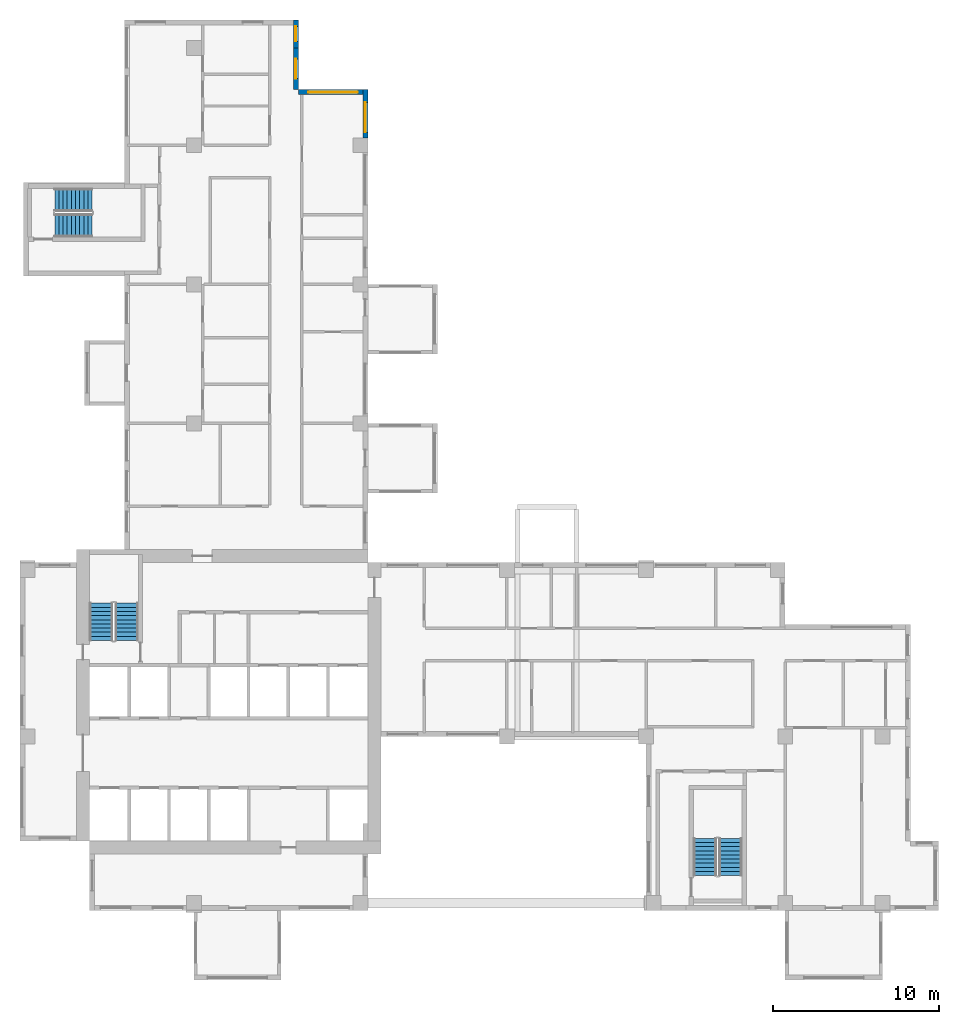
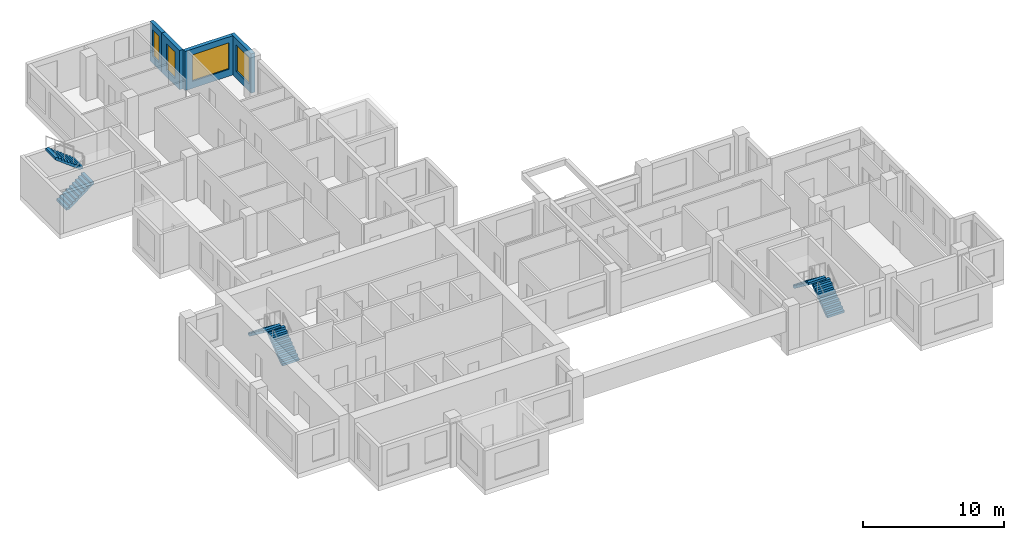
# One storey, part 8 of 11: 6 stair flights, 4 walls, 4 windows, 4 openings, 3 elements without a shape of their own.
"""IFC4 building model written with IfcOpenShell, lengths in metres."""

from ifc_helpers import new_model, si_unit, direction, frame, frame_2d, origin, place, context, subcontext, project, spatial, polyline, rectangle, outline, extrude, source, transform, mapped, material, layer, layer_set, type_object, element, fill, aggregate, save


model = new_model("IFC4")

# Units and contexts
model_context = context("Model", 3, precision=1e-05, world=origin(), true_north=direction((0.0, 1.0)))
body_context = subcontext(model_context, "Body", "Model", "MODEL_VIEW")
ifc_project = project(units=[si_unit("LENGTHUNIT", "METRE"), si_unit("AREAUNIT", "SQUARE_METRE"), si_unit("VOLUMEUNIT", "CUBIC_METRE"), si_unit("PLANEANGLEUNIT", "RADIAN"), si_unit("MASSUNIT", "GRAM", prefix="KILO")], contexts=[model_context])

# Site, building, storey
site_placement = place(None, origin())
site = spatial("IfcSite", under=ifc_project, at=site_placement, CompositionType="ELEMENT")
building_placement = place(site_placement, origin())
building = spatial("IfcBuilding", under=site, at=building_placement, Name="Aurelian Terraces", CompositionType="ELEMENT")
storey_placement = place(building_placement, frame((0.0, 0.0, 212.0)))
storey = spatial("IfcBuildingStorey", under=building, at=storey_placement, Name="L47", CompositionType="ELEMENT", Elevation=212.0)

# Wall, opening, window
ifc_material_1 = material(Name="Terracotta rainscreen cladding", Category="masonry")
ifc_layer = layer(ifc_material_1, 0.3)
ifc_layer_set = layer_set([ifc_layer], Name="EW-300")
wall_type = type_object("IfcWallType", Name="EW-300", PredefinedType="STANDARD", material=ifc_layer_set)
shared_shape_1 = source(origin(), body_context, "Body", "SweptSolid", [
    extrude(rectangle(XDim=2.91, YDim=0.3, at=frame_2d((1.455, 0.0))), origin(), (0.0, 0.0, 1.0), 3.4),
])
wall_1_placement = place(storey_placement, frame((20.85, 46.65, 0.0), z_axis=(0.0, 0.0, 1.0), x_axis=(0.0, 1.0, 0.0)))
wall_1 = element("IfcWall", 1, at=wall_1_placement, inside=storey, type_object=wall_type, Name="External wall L47 F12.24", PredefinedType="STANDARD", context=body_context, shape_type="MappedRepresentation", body=[
    mapped(shared_shape_1, transform((0.0, 0.0, 0.0), scale=1.0)),
])
shared_shape_2 = source(origin(), body_context, "Body", "SweptSolid", [
    extrude(rectangle(XDim=1.8, YDim=2.3, at=frame_2d((0.9, 1.15))), frame((0.0, 0.16, 0.0), z_axis=(0.0, -1.0, 0.0), x_axis=(1.0, 0.0, 0.0)), (0.0, 0.0, 1.0), 0.32),
])
opening_1_placement = place(wall_1_placement, frame((0.33, 0.0, 0.6)))
opening_1 = element("IfcOpeningElement", 2, at=opening_1_placement, cuts=wall_1, Name="Opening W1823", PredefinedType="OPENING", context=body_context, shape_type="MappedRepresentation", body=[
    mapped(shared_shape_2, transform((0.0, 0.0, 0.0), scale=1.0)),
])
ifc_material_2 = material(Name="Clear glazing", Category="glass")
window_type_1 = type_object("IfcWindowType", Name="W-1800x2300", PartitioningType="SINGLE_PANEL", PredefinedType="WINDOW", material=ifc_material_2)
shared_shape_3 = source(origin(), body_context, "Body", "SweptSolid", [
    extrude(rectangle(XDim=1.8, YDim=2.3, at=frame_2d((0.9, 1.15))), frame((0.0, 0.03, 0.0), z_axis=(0.0, -1.0, 0.0), x_axis=(1.0, 0.0, 0.0)), (0.0, 0.0, 1.0), 0.06),
])
window_1_placement = place(opening_1_placement, origin())
window_1 = element("IfcWindow", 3, at=window_1_placement, inside=storey, type_object=window_type_1, Name="Window L47 L47-F12-24-0", OverallHeight=2.3, OverallWidth=1.8, PartitioningType="SINGLE_PANEL", PredefinedType="WINDOW", context=body_context, shape_type="MappedRepresentation", body=[
    mapped(shared_shape_3, transform((0.0, 0.0, 0.0), scale=1.0)),
])
fill(opening_1, window_1)

shared_shape_4 = source(origin(), body_context, "Body", "SweptSolid", [
    extrude(rectangle(XDim=4.2, YDim=0.3, at=frame_2d((2.1, 0.0))), origin(), (0.0, 0.0, 1.0), 3.4),
])
wall_2_placement = place(storey_placement, frame((21.0, 49.41, 0.0), z_axis=(0.0, 0.0, 1.0), x_axis=(-1.0, 0.0, 0.0)))
wall_2 = element("IfcWall", 4, at=wall_2_placement, inside=storey, type_object=wall_type, Name="External wall L47 F13.25", PredefinedType="STANDARD", context=body_context, shape_type="MappedRepresentation", body=[
    mapped(shared_shape_4, transform((0.0, 0.0, 0.0), scale=1.0)),
])
shared_shape_5 = source(origin(), body_context, "Body", "SweptSolid", [
    extrude(rectangle(XDim=3.0, YDim=2.3, at=frame_2d((1.5, 1.15))), frame((0.0, 0.16, 0.0), z_axis=(0.0, -1.0, 0.0), x_axis=(1.0, 0.0, 0.0)), (0.0, 0.0, 1.0), 0.32),
])
opening_2_placement = place(wall_2_placement, frame((0.6, 0.0, 0.6)))
opening_2 = element("IfcOpeningElement", 5, at=opening_2_placement, cuts=wall_2, Name="Opening W3023", PredefinedType="OPENING", context=body_context, shape_type="MappedRepresentation", body=[
    mapped(shared_shape_5, transform((0.0, 0.0, 0.0), scale=1.0)),
])
window_type_2 = type_object("IfcWindowType", Name="W-3000x2300", PartitioningType="SINGLE_PANEL", PredefinedType="WINDOW", material=ifc_material_2)
shared_shape_6 = source(origin(), body_context, "Body", "SweptSolid", [
    extrude(rectangle(XDim=3.0, YDim=2.3, at=frame_2d((1.5, 1.15))), frame((0.0, 0.03, 0.0), z_axis=(0.0, -1.0, 0.0), x_axis=(1.0, 0.0, 0.0)), (0.0, 0.0, 1.0), 0.06),
])
window_2_placement = place(opening_2_placement, origin())
window_2 = element("IfcWindow", 6, at=window_2_placement, inside=storey, type_object=window_type_2, Name="Window L47 L47-F13-25-0", OverallHeight=2.3, OverallWidth=3.0, PartitioningType="SINGLE_PANEL", PredefinedType="WINDOW", context=body_context, shape_type="MappedRepresentation", body=[
    mapped(shared_shape_6, transform((0.0, 0.0, 0.0), scale=1.0)),
])
fill(opening_2, window_2)

shared_shape_7 = source(origin(), body_context, "Body", "SweptSolid", [
    extrude(rectangle(XDim=2.52, YDim=0.3, at=frame_2d((1.26, 0.0))), origin(), (0.0, 0.0, 1.0), 3.4),
])
wall_3_placement = place(storey_placement, frame((16.65, 49.56, 0.0), z_axis=(0.0, 0.0, 1.0), x_axis=(0.0, 1.0, 0.0)))
wall_3 = element("IfcWall", 7, at=wall_3_placement, inside=storey, type_object=wall_type, Name="External wall L47 F14.26", PredefinedType="STANDARD", context=body_context, shape_type="MappedRepresentation", body=[
    mapped(shared_shape_7, transform((0.0, 0.0, 0.0), scale=1.0)),
])
shared_shape_8 = source(origin(), body_context, "Body", "SweptSolid", [
    extrude(rectangle(XDim=1.2, YDim=2.3, at=frame_2d((0.6, 1.15))), frame((0.0, 0.16, 0.0), z_axis=(0.0, -1.0, 0.0), x_axis=(1.0, 0.0, 0.0)), (0.0, 0.0, 1.0), 0.32),
])
opening_3_placement = place(wall_3_placement, frame((0.66, 0.0, 0.6)))
opening_3 = element("IfcOpeningElement", 8, at=opening_3_placement, cuts=wall_3, Name="Opening W1223", PredefinedType="OPENING", context=body_context, shape_type="MappedRepresentation", body=[
    mapped(shared_shape_8, transform((0.0, 0.0, 0.0), scale=1.0)),
])
window_type_3 = type_object("IfcWindowType", Name="W-1200x2300", PartitioningType="SINGLE_PANEL", PredefinedType="WINDOW", material=ifc_material_2)
shared_shape_9 = source(origin(), body_context, "Body", "SweptSolid", [
    extrude(rectangle(XDim=1.2, YDim=2.3, at=frame_2d((0.6, 1.15))), frame((0.0, 0.03, 0.0), z_axis=(0.0, -1.0, 0.0), x_axis=(1.0, 0.0, 0.0)), (0.0, 0.0, 1.0), 0.06),
])
window_3_placement = place(opening_3_placement, origin())
window_3 = element("IfcWindow", 9, at=window_3_placement, inside=storey, type_object=window_type_3, Name="Window L47 L47-F14-26-0", OverallHeight=2.3, OverallWidth=1.2, PartitioningType="SINGLE_PANEL", PredefinedType="WINDOW", context=body_context, shape_type="MappedRepresentation", body=[
    mapped(shared_shape_9, transform((0.0, 0.0, 0.0), scale=1.0)),
])
fill(opening_3, window_3)

shared_shape_10 = source(origin(), body_context, "Body", "SweptSolid", [
    extrude(rectangle(XDim=1.68, YDim=0.3, at=frame_2d((0.84, 0.0))), origin(), (0.0, 0.0, 1.0), 3.4),
])
wall_4_placement = place(storey_placement, frame((16.65, 52.08, 0.0), z_axis=(0.0, 0.0, 1.0), x_axis=(0.0, 1.0, 0.0)))
wall_4 = element("IfcWall", 10, at=wall_4_placement, inside=storey, type_object=wall_type, Name="External wall L47 F14.27", PredefinedType="STANDARD", context=body_context, shape_type="MappedRepresentation", body=[
    mapped(shared_shape_10, transform((0.0, 0.0, 0.0), scale=1.0)),
])
shared_shape_11 = source(origin(), body_context, "Body", "SweptSolid", [
    extrude(rectangle(XDim=0.9, YDim=2.3, at=frame_2d((0.45, 1.15))), frame((0.0, 0.16, 0.0), z_axis=(0.0, -1.0, 0.0), x_axis=(1.0, 0.0, 0.0)), (0.0, 0.0, 1.0), 0.32),
])
opening_4_placement = place(wall_4_placement, frame((0.39, 0.0, 0.6)))
opening_4 = element("IfcOpeningElement", 11, at=opening_4_placement, cuts=wall_4, Name="Opening W0923", PredefinedType="OPENING", context=body_context, shape_type="MappedRepresentation", body=[
    mapped(shared_shape_11, transform((0.0, 0.0, 0.0), scale=1.0)),
])
window_type_4 = type_object("IfcWindowType", Name="W-900x2300", PartitioningType="SINGLE_PANEL", PredefinedType="WINDOW", material=ifc_material_2)
shared_shape_12 = source(origin(), body_context, "Body", "SweptSolid", [
    extrude(rectangle(XDim=0.9, YDim=2.3, at=frame_2d((0.45, 1.15))), frame((0.0, 0.03, 0.0), z_axis=(0.0, -1.0, 0.0), x_axis=(1.0, 0.0, 0.0)), (0.0, 0.0, 1.0), 0.06),
])
window_4_placement = place(opening_4_placement, origin())
window_4 = element("IfcWindow", 12, at=window_4_placement, inside=storey, type_object=window_type_4, Name="Window L47 L47-F14-27-P0", OverallHeight=2.3, OverallWidth=0.9, PartitioningType="SINGLE_PANEL", PredefinedType="WINDOW", context=body_context, shape_type="MappedRepresentation", body=[
    mapped(shared_shape_12, transform((0.0, 0.0, 0.0), scale=1.0)),
])
fill(opening_4, window_4)

# Stair, stair flights
ifc_material_3 = material(Name="Concrete fc' 40 MPa", Category="concrete")
stair_type = type_object("IfcStairType", Name="Stair 1400", PredefinedType="HALF_TURN_STAIR", material=ifc_material_3)
stair_1_placement = place(storey_placement, origin())
stair_1 = element("IfcStair", 13, at=stair_1_placement, inside=storey, type_object=stair_type, Name="L47 S1", PredefinedType="HALF_TURN_STAIR")
stair_flight_type = type_object("IfcStairFlightType", Name="Stair flight 1400", PredefinedType="STRAIGHT", material=ifc_material_3)
shared_shape_13 = source(origin(), body_context, "Body", "SweptSolid", [
    extrude(outline(polyline([(0.0, 0.0), (0.0, 0.19), (0.25, 0.19), (0.25, 0.38), (0.5, 0.38), (0.5, 0.57), (0.75, 0.57), (0.75, 0.76), (1.0, 0.76), (1.0, 0.95), (1.25, 0.95), (1.25, 1.14), (1.5, 1.14), (1.5, 1.33), (1.75, 1.33), (1.75, 1.52), (2.0, 1.52), (2.0, 1.71), (2.25, 1.71), (2.25, 1.9), (2.25, 1.5216), (0.2479, 0.0), (0.0, 0.0)])), frame((0.0, 0.7, 0.0), z_axis=(0.0, -1.0, 0.0), x_axis=(1.0, 0.0, 0.0)), (0.0, 0.0, 1.0), 1.4),
])
stair_flight_1_placement = place(storey_placement, frame((6.45, 16.3, 2e-08), z_axis=(0.0, 0.0, 1.0), x_axis=(0.0, 1.0, 0.0)))
stair_flight_1 = element("IfcStairFlight", 14, at=stair_flight_1_placement, type_object=stair_flight_type, Name="S1 flight 1", NumberOfRisers=10, NumberOfTreads=9, PredefinedType="STRAIGHT", RiserHeight=0.19, TreadLength=0.25, context=body_context, shape_type="MappedRepresentation", body=[
    mapped(shared_shape_13, transform((0.0, 0.0, 0.0), scale=1.0)),
])
stair_flight_2_placement = place(storey_placement, frame((4.9, 18.55, 1.9000000200000058), z_axis=(0.0, 0.0, 1.0), x_axis=(0.0, -1.0, 0.0)))
stair_flight_2 = element("IfcStairFlight", 15, at=stair_flight_2_placement, type_object=stair_flight_type, Name="S1 flight 2", NumberOfRisers=10, NumberOfTreads=9, PredefinedType="STRAIGHT", RiserHeight=0.19, TreadLength=0.25, context=body_context, shape_type="MappedRepresentation", body=[
    mapped(shared_shape_13, transform((0.0, 0.0, 0.0), scale=1.0)),
])
aggregate(stair_1, [stair_flight_1, stair_flight_2])

stair_2_placement = place(storey_placement, origin())
stair_2 = element("IfcStair", 16, at=stair_2_placement, inside=storey, type_object=stair_type, Name="L47 S2", PredefinedType="HALF_TURN_STAIR")
stair_flight_3_placement = place(storey_placement, frame((42.9, 2.1, 2e-08), z_axis=(0.0, 0.0, 1.0), x_axis=(0.0, 1.0, 0.0)))
stair_flight_3 = element("IfcStairFlight", 17, at=stair_flight_3_placement, type_object=stair_flight_type, Name="S2 flight 1", NumberOfRisers=10, NumberOfTreads=9, PredefinedType="STRAIGHT", RiserHeight=0.19, TreadLength=0.25, context=body_context, shape_type="MappedRepresentation", body=[
    mapped(shared_shape_13, transform((0.0, 0.0, 0.0), scale=1.0)),
])
stair_flight_4_placement = place(storey_placement, frame((41.35, 4.35, 1.9000000200000058), z_axis=(0.0, 0.0, 1.0), x_axis=(0.0, -1.0, 0.0)))
stair_flight_4 = element("IfcStairFlight", 18, at=stair_flight_4_placement, type_object=stair_flight_type, Name="S2 flight 2", NumberOfRisers=10, NumberOfTreads=9, PredefinedType="STRAIGHT", RiserHeight=0.19, TreadLength=0.25, context=body_context, shape_type="MappedRepresentation", body=[
    mapped(shared_shape_13, transform((0.0, 0.0, 0.0), scale=1.0)),
])
aggregate(stair_2, [stair_flight_3, stair_flight_4])

stair_3_placement = place(storey_placement, origin())
stair_3 = element("IfcStair", 19, at=stair_3_placement, inside=storey, type_object=stair_type, Name="L47 S3", PredefinedType="HALF_TURN_STAIR")
stair_flight_5_placement = place(storey_placement, frame((2.1, 41.35, 2e-08), z_axis=(0.0, 0.0, 1.0), x_axis=(1.0, 0.0, 0.0)))
stair_flight_5 = element("IfcStairFlight", 20, at=stair_flight_5_placement, type_object=stair_flight_type, Name="S3 flight 1", NumberOfRisers=10, NumberOfTreads=9, PredefinedType="STRAIGHT", RiserHeight=0.19, TreadLength=0.25, context=body_context, shape_type="MappedRepresentation", body=[
    mapped(shared_shape_13, transform((0.0, 0.0, 0.0), scale=1.0)),
])
stair_flight_6_placement = place(storey_placement, frame((4.35, 42.9, 1.9000000200000058), z_axis=(0.0, 0.0, 1.0), x_axis=(-1.0, 0.0, 0.0)))
stair_flight_6 = element("IfcStairFlight", 21, at=stair_flight_6_placement, type_object=stair_flight_type, Name="S3 flight 2", NumberOfRisers=10, NumberOfTreads=9, PredefinedType="STRAIGHT", RiserHeight=0.19, TreadLength=0.25, context=body_context, shape_type="MappedRepresentation", body=[
    mapped(shared_shape_13, transform((0.0, 0.0, 0.0), scale=1.0)),
])
aggregate(stair_3, [stair_flight_5, stair_flight_6])

save(model, "model.ifc")
